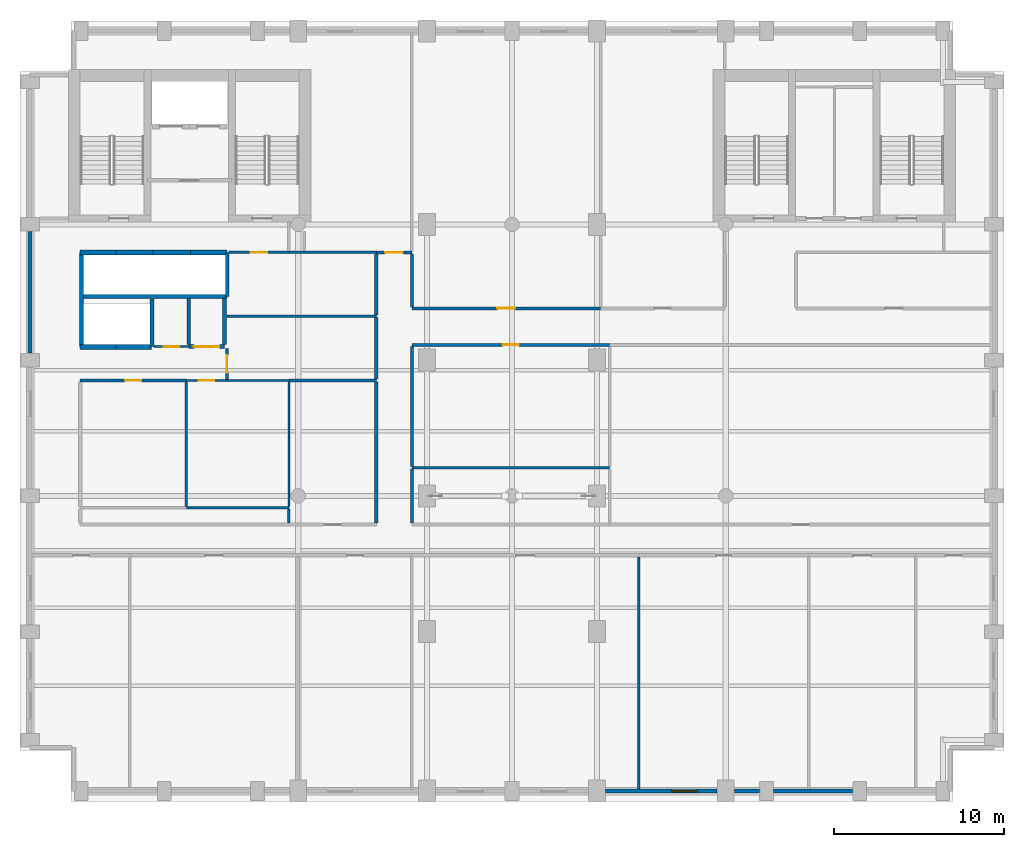
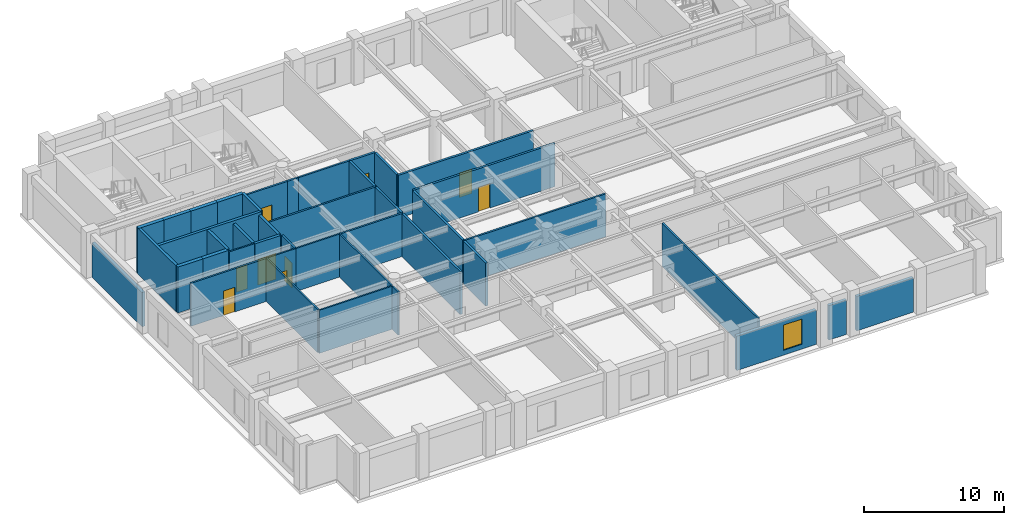
# One storey, part 5 of 10: 42 walls, 9 doors, 1 window, 10 openings.
"""IFC4 building model written with IfcOpenShell, lengths in metres."""

from ifc_helpers import new_model, si_unit, direction, frame, frame_2d, origin, place, context, subcontext, project, spatial, rectangle, extrude, material, layer, layer_set, type_object, element, fill, save


model = new_model("IFC4")

# Units and contexts
model_context = context("Model", 3, precision=1e-05, world=origin(), true_north=direction((0.0, 1.0)))
body_context = subcontext(model_context, "Body", "Model", "MODEL_VIEW")
ifc_project = project(units=[si_unit("LENGTHUNIT", "METRE"), si_unit("AREAUNIT", "SQUARE_METRE"), si_unit("VOLUMEUNIT", "CUBIC_METRE"), si_unit("PLANEANGLEUNIT", "RADIAN"), si_unit("MASSUNIT", "GRAM", prefix="KILO")], contexts=[model_context])

# Site, building, storey
site_placement = place(None, origin())
site = spatial("IfcSite", under=ifc_project, at=site_placement, CompositionType="ELEMENT")
building_placement = place(site_placement, origin())
building = spatial("IfcBuilding", under=site, at=building_placement, Name="Sulina Concourse Tower", CompositionType="ELEMENT")
storey_placement = place(building_placement, frame((0.0, 0.0, 210.60009765625)))
storey = spatial("IfcBuildingStorey", under=building, at=storey_placement, Name="L51", CompositionType="ELEMENT", Elevation=210.60009765625)

# Walls
ifc_material_1 = material(Name="Concrete C50/60", Category="concrete")
ifc_layer_1 = layer(ifc_material_1, 0.219970703125)
ifc_layer_set_1 = layer_set([ifc_layer_1], Name="Concrete C50/60")
wall_type_1 = type_object("IfcWallType", Name="Core Lift Hoistway Divider Wall 220mm", PredefinedType="SOLIDWALL", material=ifc_layer_set_1)
wall_1_placement = place(storey_placement, frame((3.550048828125, 29.75, 0.0), z_axis=(0.0, 0.0, 1.0), x_axis=(1.0, 0.0, 0.0)))
element("IfcWall", 1, at=wall_1_placement, inside=storey, type_object=wall_type_1, Name="L51 shaft divider wall HW-LP3-S", PredefinedType="SOLIDWALL", context=body_context, shape_type="SweptSolid", body=[
    extrude(rectangle(XDim=8.64990234375, YDim=0.219970703125, at=frame_2d((4.324951171875, 0.0))), origin(), (0.0, 0.0, 1.0), 4.0),
])
wall_2_placement = place(storey_placement, frame((3.6298828125, 26.800048828125, 0.0), z_axis=(0.0, 0.0, 1.0), x_axis=(0.0, 1.0, 0.0)))
element("IfcWall", 2, at=wall_2_placement, inside=storey, type_object=wall_type_1, Name="L51 shaft divider wall HW-LP3-W", PredefinedType="SOLIDWALL", context=body_context, shape_type="SweptSolid", body=[
    extrude(rectangle(XDim=5.550048828125, YDim=0.219970703125, at=frame_2d((2.77490234375, 0.0))), origin(), (0.0, 0.0, 1.0), 4.0),
])
wall_3_placement = place(storey_placement, frame((7.780029296875, 26.800048828125, 0.0), z_axis=(0.0, 0.0, 1.0), x_axis=(0.0, 1.0, 0.0)))
element("IfcWall", 3, at=wall_3_placement, inside=storey, type_object=wall_type_1, Name="L51 shaft divider wall HW-EXP-E", PredefinedType="SOLIDWALL", context=body_context, shape_type="SweptSolid", body=[
    extrude(rectangle(XDim=2.800048828125, YDim=0.219970703125, at=frame_2d((1.39990234375, 0.0))), origin(), (0.0, 0.0, 1.0), 4.0),
])
wall_4_placement = place(storey_placement, frame((12.219970703125, 29.75, 0.0), z_axis=(0.0, 0.0, 1.0), x_axis=(0.0, 1.0, 0.0)))
element("IfcWall", 4, at=wall_4_placement, inside=storey, type_object=wall_type_1, Name="L51 shaft divider wall HW-LP3-E", PredefinedType="SOLIDWALL", context=body_context, shape_type="SweptSolid", body=[
    extrude(rectangle(XDim=2.60009765625, YDim=0.219970703125, at=frame_2d((1.300048828125, 0.0))), origin(), (0.0, 0.0, 1.0), 4.0),
])
ifc_material_2 = material(Name="Concrete C50/60", Category="concrete")
ifc_layer_2 = layer(ifc_material_2, 0.300048828125)
ifc_layer_set_2 = layer_set([ifc_layer_2], Name="Concrete C50/60")
wall_type_2 = type_object("IfcWallType", Name="Core Lift Hoistway Wall 300mm", PredefinedType="SOLIDWALL", material=ifc_layer_set_2)
wall_5_placement = place(storey_placement, frame((3.550048828125, 32.35009765625, 0.0), z_axis=(0.0, 0.0, 1.0), x_axis=(1.0, 0.0, 0.0)))
element("IfcWall", 5, at=wall_5_placement, inside=storey, type_object=wall_type_2, Name="L51 hoistway enclosure wall LP-09", PredefinedType="SOLIDWALL", context=body_context, shape_type="SweptSolid", body=[
    extrude(rectangle(XDim=2.099853515625, YDim=0.300048828125, at=frame_2d((1.0498046875, 0.0))), origin(), (0.0, 0.0, 1.0), 4.0),
])
wall_6_placement = place(storey_placement, frame((5.64990234375, 32.35009765625, 0.0), z_axis=(0.0, 0.0, 1.0), x_axis=(1.0, 0.0, 0.0)))
element("IfcWall", 6, at=wall_6_placement, inside=storey, type_object=wall_type_2, Name="L51 hoistway enclosure wall LP-10", PredefinedType="SOLIDWALL", context=body_context, shape_type="SweptSolid", body=[
    extrude(rectangle(XDim=2.2001953125, YDim=0.300048828125, at=frame_2d((1.10009765625, 0.0))), origin(), (0.0, 0.0, 1.0), 4.0),
])
wall_7_placement = place(storey_placement, frame((7.85009765625, 32.35009765625, 0.0), z_axis=(0.0, 0.0, 1.0), x_axis=(1.0, 0.0, 0.0)))
element("IfcWall", 7, at=wall_7_placement, inside=storey, type_object=wall_type_2, Name="L51 hoistway enclosure wall LP-11", PredefinedType="SOLIDWALL", context=body_context, shape_type="SweptSolid", body=[
    extrude(rectangle(XDim=2.199951171875, YDim=0.300048828125, at=frame_2d((1.10009765625, 0.0))), origin(), (0.0, 0.0, 1.0), 4.0),
])
wall_8_placement = place(storey_placement, frame((10.050048828125, 32.35009765625, 0.0), z_axis=(0.0, 0.0, 1.0), x_axis=(1.0, 0.0, 0.0)))
element("IfcWall", 8, at=wall_8_placement, inside=storey, type_object=wall_type_2, Name="L51 hoistway enclosure wall LP-12", PredefinedType="SOLIDWALL", context=body_context, shape_type="SweptSolid", body=[
    extrude(rectangle(XDim=2.14990234375, YDim=0.300048828125, at=frame_2d((1.074951171875, 0.0))), origin(), (0.0, 0.0, 1.0), 4.0),
])
wall_9_placement = place(storey_placement, frame((5.64990234375, 26.780029296875, 0.0), z_axis=(0.0, 0.0, 1.0), x_axis=(-1.0, 0.0, 0.0)))
element("IfcWall", 9, at=wall_9_placement, inside=storey, type_object=wall_type_2, Name="L51 hoistway enclosure wall EXP-1", PredefinedType="SOLIDWALL", context=body_context, shape_type="SweptSolid", body=[
    extrude(rectangle(XDim=2.099853515625, YDim=0.300048828125, at=frame_2d((1.0498046875, 0.0))), origin(), (0.0, 0.0, 1.0), 4.0),
])
wall_10_placement = place(storey_placement, frame((7.75, 26.780029296875, 0.0), z_axis=(0.0, 0.0, 1.0), x_axis=(-1.0, 0.0, 0.0)))
element("IfcWall", 10, at=wall_10_placement, inside=storey, type_object=wall_type_2, Name="L51 hoistway enclosure wall EXP-2", PredefinedType="SOLIDWALL", context=body_context, shape_type="SweptSolid", body=[
    extrude(rectangle(XDim=2.10009765625, YDim=0.300048828125, at=frame_2d((1.050048828125, 0.0))), origin(), (0.0, 0.0, 1.0), 4.0),
])

# Wall, opening, window
ifc_material_3 = material(Name="Precast concrete C50/60", Category="concrete")
ifc_layer_3 = layer(ifc_material_3, 0.239990234375)
ifc_layer_set_3 = layer_set([ifc_layer_3], Name="Precast concrete C50/60")
wall_type_3 = type_object("IfcWallType", Name="Crown Precast Masonry-Frame Facade Wall 240mm", PredefinedType="SOLIDWALL", material=ifc_layer_set_3)
wall_11_placement = place(storey_placement, frame((41.080078125, 0.60009765625, 0.0), z_axis=(0.0, 0.0, 1.0), x_axis=(-1.0, 0.0, 0.0)))
wall_11 = element("IfcWall", 11, at=wall_11_placement, inside=storey, type_object=wall_type_3, Name="L51 exterior precast wall S7", PredefinedType="SOLIDWALL", context=body_context, shape_type="SweptSolid", body=[
    extrude(rectangle(XDim=6.56005859375, YDim=0.239990234375, at=frame_2d((3.280029296875, 0.0))), origin(), (0.0, 0.0, 1.0), 3.0),
])
opening_1_placement = place(wall_11_placement, frame((1.186767578125, 0.0, 0.419921875)))
opening_1 = element("IfcOpeningElement", 12, at=opening_1_placement, cuts=wall_11, Name="Opening WN-71", PredefinedType="OPENING", context=body_context, shape_type="SweptSolid", body=[
    extrude(rectangle(XDim=1.5, YDim=2.199951171875, at=frame_2d((0.75, 1.10009765625))), frame((0.0, 0.1298828125, 0.0), z_axis=(0.0, -1.0, 0.0), x_axis=(1.0, 0.0, 0.0)), (0.0, 0.0, 1.0), 0.260009765625),
])
ifc_material_4 = material(Name="Low-E solar double glazing in bronze aluminium", Category="aluminium")
window_type = type_object("IfcWindowType", Name="Punched Masonry-Frame Window 1500x2200", PartitioningType="SINGLE_PANEL", PredefinedType="WINDOW", material=ifc_material_4)
window_placement = place(opening_1_placement, origin())
window = element("IfcWindow", 13, at=window_placement, inside=storey, type_object=window_type, Name="L51 punched window S7-1", OverallHeight=2.199951171875, OverallWidth=1.5, PartitioningType="SINGLE_PANEL", PredefinedType="WINDOW", context=body_context, shape_type="SweptSolid", body=[
    extrude(rectangle(XDim=1.5, YDim=2.199951171875, at=frame_2d((0.75, 1.10009765625))), frame((0.0, 0.030029296875, 0.0), z_axis=(0.0, -1.0, 0.0), x_axis=(1.0, 0.0, 0.0)), (0.0, 0.0, 1.0), 0.06005859375),
])
fill(opening_1, window)

# Walls
wall_12_placement = place(storey_placement, frame((43.580078125, 0.60009765625, 0.0), z_axis=(0.0, 0.0, 1.0), x_axis=(-1.0, 0.0, 0.0)))
element("IfcWall", 14, at=wall_12_placement, inside=storey, type_object=wall_type_3, Name="L51 exterior precast wall S8", PredefinedType="SOLIDWALL", context=body_context, shape_type="SweptSolid", body=[
    extrude(rectangle(XDim=1.4599609375, YDim=0.239990234375, at=frame_2d((0.72998046875, 0.0))), origin(), (0.0, 0.0, 1.0), 3.0),
])
wall_13_placement = place(storey_placement, frame((49.080078125, 0.60009765625, 0.0), z_axis=(0.0, 0.0, 1.0), x_axis=(-1.0, 0.0, 0.0)))
element("IfcWall", 15, at=wall_13_placement, inside=storey, type_object=wall_type_3, Name="L51 exterior precast wall S9", PredefinedType="SOLIDWALL", context=body_context, shape_type="SweptSolid", body=[
    extrude(rectangle(XDim=4.66015625, YDim=0.239990234375, at=frame_2d((2.330078125, 0.0))), origin(), (0.0, 0.0, 1.0), 3.0),
])
wall_14_placement = place(storey_placement, frame((0.60009765625, 26.419921875, 0.0), z_axis=(0.0, 0.0, 1.0), x_axis=(0.0, 1.0, 0.0)))
element("IfcWall", 16, at=wall_14_placement, inside=storey, type_object=wall_type_3, Name="L51 exterior precast wall W4", PredefinedType="SOLIDWALL", context=body_context, shape_type="SweptSolid", body=[
    extrude(rectangle(XDim=7.16015625, YDim=0.239990234375, at=frame_2d((3.580078125, 0.0))), origin(), (0.0, 0.0, 1.0), 3.0),
])

# Wall, opening, door
ifc_material_5 = material(Name="Gypsum board on steel stud", Category="steel")
ifc_layer_4 = layer(ifc_material_5, 0.219970703125)
ifc_layer_set_4 = layer_set([ifc_layer_4], Name="Gypsum board on steel stud")
wall_type_4 = type_object("IfcWallType", Name="Fire-Rated Lobby & Compartment Wall 220mm", PredefinedType="PARTITIONING", material=ifc_layer_set_4)
wall_15_placement = place(storey_placement, frame((9.949951171875, 26.800048828125, 0.0), z_axis=(0.0, 0.0, 1.0), x_axis=(1.0, 0.0, 0.0)))
wall_15 = element("IfcWall", 17, at=wall_15_placement, inside=storey, type_object=wall_type_4, Name="L51 interior partition 020", PredefinedType="PARTITIONING", context=body_context, shape_type="SweptSolid", body=[
    extrude(rectangle(XDim=2.10009765625, YDim=0.219970703125, at=frame_2d((1.050048828125, 0.0))), origin(), (0.0, 0.0, 1.0), 3.75),
])
opening_2_placement = place(wall_15_placement, frame((0.300048828125, 0.0, 0.0)))
opening_2 = element("IfcOpeningElement", 18, at=opening_2_placement, cuts=wall_15, Name="Opening DR-80", PredefinedType="OPENING", context=body_context, shape_type="SweptSolid", body=[
    extrude(rectangle(XDim=1.5, YDim=2.25, at=frame_2d((0.75, 1.125))), frame((0.0, 0.119873046875, 0.0), z_axis=(0.0, -1.0, 0.0), x_axis=(1.0, 0.0, 0.0)), (0.0, 0.0, 1.0), 0.239990234375),
])
ifc_material_6 = material(Name="Galvanised steel acoustic fire leaf", Category="steel")
ifc_layer_5 = layer(ifc_material_6, 0.054931640625)
ifc_layer_set_5 = layer_set([ifc_layer_5], Name="Galvanised steel acoustic fire leaf")
door_type_1 = type_object("IfcDoorType", Name="Mechanical Plant Double Fire Door 1500x2250", OperationType="DOUBLE_DOOR_SINGLE_SWING", PredefinedType="DOOR", material=ifc_layer_set_5)
door_1_placement = place(opening_2_placement, origin())
door_1 = element("IfcDoor", 19, at=door_1_placement, inside=storey, type_object=door_type_1, Name="L51 interior door L51-IT-IDF", OperationType="DOUBLE_DOOR_SINGLE_SWING", OverallHeight=2.25, OverallWidth=1.5, PredefinedType="DOOR", context=body_context, shape_type="SweptSolid", body=[
    extrude(rectangle(XDim=1.5, YDim=2.25, at=frame_2d((0.75, 1.125))), frame((0.0, 0.02490234375, 0.0), z_axis=(0.0, -1.0, 0.0), x_axis=(1.0, 0.0, 0.0)), (0.0, 0.0, 1.0), 0.050048828125),
])
fill(opening_2, door_1)

# Walls
for number, where, z_axis, x_axis, name in (
    (20, (9.949951171875, 26.909912109375, 0.0), (0.0, 0.0, 1.0), (0.0, 1.0, 0.0), "L51 interior partition 040"),
    (21, (12.050048828125, 26.909912109375, 0.0), (0.0, 0.0, 1.0), (0.0, 1.0, 0.0), "L51 interior partition 041"),
):
    element("IfcWall", number, at=place(storey_placement, frame(where, z_axis=z_axis, x_axis=x_axis)), inside=storey, type_object=wall_type_4, Name=name, PredefinedType="PARTITIONING", context=body_context, shape_type="SweptSolid", body=[
        extrude(rectangle(XDim=2.72998046875, YDim=0.219970703125, at=frame_2d((1.364990234375, 0.0))), origin(), (0.0, 0.0, 1.0), 3.75),
    ])
ifc_material_7 = material(Name="Gypsum board on steel stud", Category="steel")
ifc_layer_6 = layer(ifc_material_7, 0.14990234375)
ifc_layer_set_6 = layer_set([ifc_layer_6], Name="Gypsum board on steel stud")
wall_type_5 = type_object("IfcWallType", Name="Inter-Tenancy Acoustic Partition 150mm", PredefinedType="PARTITIONING", material=ifc_layer_set_6)
wall_16_placement = place(storey_placement, frame((23.10009765625, 19.64990234375, 0.0), z_axis=(0.0, 0.0, 1.0), x_axis=(1.0, 0.0, 0.0)))
element("IfcWall", 22, at=wall_16_placement, inside=storey, type_object=wall_type_5, Name="L51 interior partition 014", PredefinedType="PARTITIONING", context=body_context, shape_type="SweptSolid", body=[
    extrude(rectangle(XDim=11.64990234375, YDim=0.14990234375, at=frame_2d((5.824951171875, 0.0))), origin(), (0.0, 0.0, 1.0), 3.75),
])

# Wall, opening, door
wall_17_placement = place(storey_placement, frame((3.550048828125, 24.800048828125, 0.0), z_axis=(0.0, 0.0, 1.0), x_axis=(1.0, 0.0, 0.0)))
wall_17 = element("IfcWall", 23, at=wall_17_placement, inside=storey, type_object=wall_type_5, Name="L51 interior partition 015", PredefinedType="PARTITIONING", context=body_context, shape_type="SweptSolid", body=[
    extrude(rectangle(XDim=6.25, YDim=0.14990234375, at=frame_2d((3.125, 0.0))), origin(), (0.0, 0.0, 1.0), 3.75),
])
opening_3_placement = place(wall_17_placement, frame((2.64990234375, 0.0, 0.0)))
opening_3 = element("IfcOpeningElement", 24, at=opening_3_placement, cuts=wall_17, Name="Opening DR-19", PredefinedType="OPENING", context=body_context, shape_type="SweptSolid", body=[
    extrude(rectangle(XDim=0.949951171875, YDim=2.14990234375, at=frame_2d((0.47509765625, 1.074951171875))), frame((0.0, 0.0849609375, 0.0), z_axis=(0.0, -1.0, 0.0), x_axis=(1.0, 0.0, 0.0)), (0.0, 0.0, 1.0), 0.169921875),
])
ifc_material_8 = material(Name="Oak-veneered acoustic timber leaf", Category="wood")
ifc_layer_7 = layer(ifc_material_8, 0.050048828125)
ifc_layer_set_7 = layer_set([ifc_layer_7], Name="Oak-veneered acoustic timber leaf")
door_type_2 = type_object("IfcDoorType", Name="Cellular Office & Meeting Door 950x2150", OperationType="NOTDEFINED", PredefinedType="DOOR", material=ifc_layer_set_7)
door_2_placement = place(opening_3_placement, origin())
door_2 = element("IfcDoor", 25, at=door_2_placement, inside=storey, type_object=door_type_2, Name="L51 interior door L51-LR-MRG1", OperationType="SINGLE_SWING_LEFT", OverallHeight=2.14990234375, OverallWidth=0.949951171875, PredefinedType="DOOR", context=body_context, shape_type="SweptSolid", body=[
    extrude(rectangle(XDim=0.949951171875, YDim=2.14990234375, at=frame_2d((0.47509765625, 1.074951171875))), frame((0.0, 0.02490234375, 0.0), z_axis=(0.0, -1.0, 0.0), x_axis=(1.0, 0.0, 0.0)), (0.0, 0.0, 1.0), 0.050048828125),
])
fill(opening_3, door_2)

# Walls
wall_18_placement = place(storey_placement, frame((15.85009765625, 24.800048828125, 0.0), z_axis=(0.0, 0.0, 1.0), x_axis=(1.0, 0.0, 0.0)))
element("IfcWall", 26, at=wall_18_placement, inside=storey, type_object=wall_type_5, Name="L51 interior partition 018", PredefinedType="PARTITIONING", context=body_context, shape_type="SweptSolid", body=[
    extrude(rectangle(XDim=5.14990234375, YDim=0.14990234375, at=frame_2d((2.574951171875, 0.0))), origin(), (0.0, 0.0, 1.0), 3.75),
])
wall_19_placement = place(storey_placement, frame((12.199951171875, 28.60009765625, 0.0), z_axis=(0.0, 0.0, 1.0), x_axis=(1.0, 0.0, 0.0)))
element("IfcWall", 27, at=wall_19_placement, inside=storey, type_object=wall_type_5, Name="L51 interior partition 023", PredefinedType="PARTITIONING", context=body_context, shape_type="SweptSolid", body=[
    extrude(rectangle(XDim=8.800048828125, YDim=0.14990234375, at=frame_2d((4.39990234375, 0.0))), origin(), (0.0, 0.0, 1.0), 3.75),
])

# Wall, opening, door
wall_20_placement = place(storey_placement, frame((12.330078125, 32.35009765625, 0.0), z_axis=(0.0, 0.0, 1.0), x_axis=(1.0, 0.0, 0.0)))
wall_20 = element("IfcWall", 28, at=wall_20_placement, inside=storey, type_object=wall_type_5, Name="L51 interior partition 027", PredefinedType="PARTITIONING", context=body_context, shape_type="SweptSolid", body=[
    extrude(rectangle(XDim=3.52001953125, YDim=0.14990234375, at=frame_2d((1.760009765625, 0.0))), origin(), (0.0, 0.0, 1.0), 3.75),
])
opening_4_placement = place(wall_20_placement, frame((1.284912109375, 0.0, 0.0)))
opening_4 = element("IfcOpeningElement", 29, at=opening_4_placement, cuts=wall_20, Name="Opening DR-19", PredefinedType="OPENING", context=body_context, shape_type="SweptSolid", body=[
    extrude(rectangle(XDim=0.949951171875, YDim=2.14990234375, at=frame_2d((0.47509765625, 1.074951171875))), frame((0.0, 0.0849609375, 0.0), z_axis=(0.0, -1.0, 0.0), x_axis=(1.0, 0.0, 0.0)), (0.0, 0.0, 1.0), 0.169921875),
])
door_3_placement = place(opening_4_placement, origin())
door_3 = element("IfcDoor", 30, at=door_3_placement, inside=storey, type_object=door_type_2, Name="L51 interior door L51-MR-MRG2", OperationType="SINGLE_SWING_RIGHT", OverallHeight=2.14990234375, OverallWidth=0.949951171875, PredefinedType="DOOR", context=body_context, shape_type="SweptSolid", body=[
    extrude(rectangle(XDim=0.949951171875, YDim=2.14990234375, at=frame_2d((0.47509765625, 1.074951171875))), frame((0.0, 0.02490234375, 0.0), z_axis=(0.0, -1.0, 0.0), x_axis=(1.0, 0.0, 0.0)), (0.0, 0.0, 1.0), 0.050048828125),
])
fill(opening_4, door_3)

# Walls
wall_21_placement = place(storey_placement, frame((15.85009765625, 32.35009765625, 0.0), z_axis=(0.0, 0.0, 1.0), x_axis=(1.0, 0.0, 0.0)))
element("IfcWall", 31, at=wall_21_placement, inside=storey, type_object=wall_type_5, Name="L51 interior partition 028", PredefinedType="PARTITIONING", context=body_context, shape_type="SweptSolid", body=[
    extrude(rectangle(XDim=0.89990234375, YDim=0.14990234375, at=frame_2d((0.449951171875, 0.0))), origin(), (0.0, 0.0, 1.0), 3.75),
])
wall_22_placement = place(storey_placement, frame((16.75, 32.35009765625, 0.0), z_axis=(0.0, 0.0, 1.0), x_axis=(1.0, 0.0, 0.0)))
element("IfcWall", 32, at=wall_22_placement, inside=storey, type_object=wall_type_5, Name="L51 interior partition 029", PredefinedType="PARTITIONING", context=body_context, shape_type="SweptSolid", body=[
    extrude(rectangle(XDim=4.25, YDim=0.14990234375, at=frame_2d((2.125, 0.0))), origin(), (0.0, 0.0, 1.0), 3.75),
])

# Wall, opening, door
wall_23_placement = place(storey_placement, frame((12.199951171875, 24.862548828125, 0.0), z_axis=(0.0, 0.0, 1.0), x_axis=(0.0, 1.0, 0.0)))
wall_23 = element("IfcWall", 33, at=wall_23_placement, inside=storey, type_object=wall_type_5, Name="L51 interior partition 042", PredefinedType="PARTITIONING", context=body_context, shape_type="SweptSolid", body=[
    extrude(rectangle(XDim=1.827392578125, YDim=0.14990234375, at=frame_2d((0.91357421875, 0.0))), origin(), (0.0, 0.0, 1.0), 3.75),
])
opening_5_placement = place(wall_23_placement, frame((0.388916015625, 0.0, 0.0)))
opening_5 = element("IfcOpeningElement", 34, at=opening_5_placement, cuts=wall_23, Name="Opening DR-37", PredefinedType="OPENING", context=body_context, shape_type="SweptSolid", body=[
    extrude(rectangle(XDim=1.050048828125, YDim=2.14990234375, at=frame_2d((0.52490234375, 1.074951171875))), frame((0.0, 0.0849609375, 0.0), z_axis=(0.0, -1.0, 0.0), x_axis=(1.0, 0.0, 0.0)), (0.0, 0.0, 1.0), 0.169921875),
])
ifc_material_9 = material(Name="Oak-veneered fire door leaf")
ifc_layer_8 = layer(ifc_material_9, 0.050048828125)
ifc_layer_set_8 = layer_set([ifc_layer_8], Name="Oak-veneered fire door leaf")
door_type_3 = type_object("IfcDoorType", Name="Tenant Suite Entrance Fire Door 1050x2150", OperationType="NOTDEFINED", PredefinedType="DOOR", material=ifc_layer_set_8)
door_4_placement = place(opening_5_placement, origin())
door_4 = element("IfcDoor", 35, at=door_4_placement, inside=storey, type_object=door_type_3, Name="L51 interior door L51-MR-MRG1", OperationType="SINGLE_SWING_RIGHT", OverallHeight=2.14990234375, OverallWidth=1.050048828125, PredefinedType="DOOR", context=body_context, shape_type="SweptSolid", body=[
    extrude(rectangle(XDim=1.050048828125, YDim=2.14990234375, at=frame_2d((0.52490234375, 1.074951171875))), frame((0.0, 0.02490234375, 0.0), z_axis=(0.0, -1.0, 0.0), x_axis=(1.0, 0.0, 0.0)), (0.0, 0.0, 1.0), 0.050048828125),
])
fill(opening_5, door_4)

# Walls
wall_24_placement = place(storey_placement, frame((15.85009765625, 16.389892578125, 0.0), z_axis=(0.0, 0.0, 1.0), x_axis=(0.0, 1.0, 0.0)))
element("IfcWall", 36, at=wall_24_placement, inside=storey, type_object=wall_type_5, Name="L51 interior partition 043", PredefinedType="PARTITIONING", context=body_context, shape_type="SweptSolid", body=[
    extrude(rectangle(XDim=0.84765625, YDim=0.14990234375, at=frame_2d((0.423828125, 0.0))), origin(), (0.0, 0.0, 1.0), 3.75),
])
wall_25_placement = place(storey_placement, frame((36.47998046875, 0.719970703125, 0.0), z_axis=(0.0, 0.0, 1.0), x_axis=(0.0, 1.0, 0.0)))
element("IfcWall", 37, at=wall_25_placement, inside=storey, type_object=wall_type_5, Name="L51 interior partition 060", PredefinedType="PARTITIONING", context=body_context, shape_type="SweptSolid", body=[
    extrude(rectangle(XDim=13.68994140625, YDim=0.14990234375, at=frame_2d((6.844970703125, 0.0))), origin(), (0.0, 0.0, 1.0), 3.75),
])

# Wall, opening, door
ifc_material_10 = material(Name="Gypsum board on steel stud", Category="steel")
ifc_layer_9 = layer(ifc_material_10, 0.179931640625)
ifc_layer_set_9 = layer_set([ifc_layer_9], Name="Gypsum board on steel stud")
wall_type_6 = type_object("IfcWallType", Name="Protected Corridor & Riser Partition 180mm", PredefinedType="PARTITIONING", material=ifc_layer_set_9)
wall_26_placement = place(storey_placement, frame((23.10009765625, 26.89990234375, 0.0), z_axis=(0.0, 0.0, 1.0), x_axis=(1.0, 0.0, 0.0)))
wall_26 = element("IfcWall", 38, at=wall_26_placement, inside=storey, type_object=wall_type_6, Name="L51 interior partition 021", PredefinedType="PARTITIONING", context=body_context, shape_type="SweptSolid", body=[
    extrude(rectangle(XDim=11.64990234375, YDim=0.179931640625, at=frame_2d((5.824951171875, 0.0))), origin(), (0.0, 0.0, 1.0), 3.75),
])
opening_6_placement = place(wall_26_placement, frame((5.35009765625, 0.0, 0.0)))
opening_6 = element("IfcOpeningElement", 39, at=opening_6_placement, cuts=wall_26, Name="Opening DR-19", PredefinedType="OPENING", context=body_context, shape_type="SweptSolid", body=[
    extrude(rectangle(XDim=0.949951171875, YDim=2.14990234375, at=frame_2d((0.47509765625, 1.074951171875))), frame((0.0, 0.099853515625, 0.0), z_axis=(0.0, -1.0, 0.0), x_axis=(1.0, 0.0, 0.0)), (0.0, 0.0, 1.0), 0.199951171875),
])
door_5_placement = place(opening_6_placement, origin())
door_5 = element("IfcDoor", 40, at=door_5_placement, inside=storey, type_object=door_type_2, Name="L51 interior door L51-UBT-NRM", OperationType="SINGLE_SWING_RIGHT", OverallHeight=2.14990234375, OverallWidth=0.949951171875, PredefinedType="DOOR", context=body_context, shape_type="SweptSolid", body=[
    extrude(rectangle(XDim=0.949951171875, YDim=2.14990234375, at=frame_2d((0.47509765625, 1.074951171875))), frame((0.0, 0.02490234375, 0.0), z_axis=(0.0, -1.0, 0.0), x_axis=(1.0, 0.0, 0.0)), (0.0, 0.0, 1.0), 0.050048828125),
])
fill(opening_6, door_5)

wall_27_placement = place(storey_placement, frame((23.10009765625, 29.050048828125, 0.0), z_axis=(0.0, 0.0, 1.0), x_axis=(1.0, 0.0, 0.0)))
wall_27 = element("IfcWall", 41, at=wall_27_placement, inside=storey, type_object=wall_type_6, Name="L51 interior partition 024", PredefinedType="PARTITIONING", context=body_context, shape_type="SweptSolid", body=[
    extrude(rectangle(XDim=11.119873046875, YDim=0.179931640625, at=frame_2d((5.56005859375, 0.0))), origin(), (0.0, 0.0, 1.0), 3.75),
])
opening_7_placement = place(wall_27_placement, frame((5.034912109375, 0.0, 0.0)))
opening_7 = element("IfcOpeningElement", 42, at=opening_7_placement, cuts=wall_27, Name="Opening DR-37", PredefinedType="OPENING", context=body_context, shape_type="SweptSolid", body=[
    extrude(rectangle(XDim=1.050048828125, YDim=2.14990234375, at=frame_2d((0.52490234375, 1.074951171875))), frame((0.0, 0.099853515625, 0.0), z_axis=(0.0, -1.0, 0.0), x_axis=(1.0, 0.0, 0.0)), (0.0, 0.0, 1.0), 0.199951171875),
])
door_6_placement = place(opening_7_placement, origin())
door_6 = element("IfcDoor", 43, at=door_6_placement, inside=storey, type_object=door_type_3, Name="L51 interior door L51-NC1", OperationType="SINGLE_SWING_LEFT", OverallHeight=2.14990234375, OverallWidth=1.050048828125, PredefinedType="DOOR", context=body_context, shape_type="SweptSolid", body=[
    extrude(rectangle(XDim=1.050048828125, YDim=2.14990234375, at=frame_2d((0.52490234375, 1.074951171875))), frame((0.0, 0.02490234375, 0.0), z_axis=(0.0, -1.0, 0.0), x_axis=(1.0, 0.0, 0.0)), (0.0, 0.0, 1.0), 0.050048828125),
])
fill(opening_7, door_6)

wall_28_placement = place(storey_placement, frame((21.0, 32.35009765625, 0.0), z_axis=(0.0, 0.0, 1.0), x_axis=(1.0, 0.0, 0.0)))
wall_28 = element("IfcWall", 44, at=wall_28_placement, inside=storey, type_object=wall_type_6, Name="L51 interior partition 030", PredefinedType="PARTITIONING", context=body_context, shape_type="SweptSolid", body=[
    extrude(rectangle(XDim=2.10009765625, YDim=0.179931640625, at=frame_2d((1.050048828125, 0.0))), origin(), (0.0, 0.0, 1.0), 3.75),
])
opening_8_placement = place(wall_28_placement, frame((0.52490234375, 0.0, 0.0)))
opening_8 = element("IfcOpeningElement", 45, at=opening_8_placement, cuts=wall_28, Name="Opening DR-37", PredefinedType="OPENING", context=body_context, shape_type="SweptSolid", body=[
    extrude(rectangle(XDim=1.050048828125, YDim=2.14990234375, at=frame_2d((0.52490234375, 1.074951171875))), frame((0.0, 0.099853515625, 0.0), z_axis=(0.0, -1.0, 0.0), x_axis=(1.0, 0.0, 0.0)), (0.0, 0.0, 1.0), 0.199951171875),
])
door_7_placement = place(opening_8_placement, origin())
door_7 = element("IfcDoor", 46, at=door_7_placement, inside=storey, type_object=door_type_3, Name="L51 interior door L51-NC-NW", OperationType="SINGLE_SWING_LEFT", OverallHeight=2.14990234375, OverallWidth=1.050048828125, PredefinedType="DOOR", context=body_context, shape_type="SweptSolid", body=[
    extrude(rectangle(XDim=1.050048828125, YDim=2.14990234375, at=frame_2d((0.52490234375, 1.074951171875))), frame((0.0, 0.02490234375, 0.0), z_axis=(0.0, -1.0, 0.0), x_axis=(1.0, 0.0, 0.0)), (0.0, 0.0, 1.0), 0.050048828125),
])
fill(opening_8, door_7)

# Walls
wall_29_placement = place(storey_placement, frame((21.0, 16.389892578125, 0.0), z_axis=(0.0, 0.0, 1.0), x_axis=(0.0, 1.0, 0.0)))
element("IfcWall", 47, at=wall_29_placement, inside=storey, type_object=wall_type_6, Name="L51 interior partition 048", PredefinedType="PARTITIONING", context=body_context, shape_type="SweptSolid", body=[
    extrude(rectangle(XDim=8.335205078125, YDim=0.179931640625, at=frame_2d((4.16748046875, 0.0))), origin(), (0.0, 0.0, 1.0), 3.75),
])
wall_30_placement = place(storey_placement, frame((21.0, 24.875, 0.0), z_axis=(0.0, 0.0, 1.0), x_axis=(0.0, 1.0, 0.0)))
element("IfcWall", 48, at=wall_30_placement, inside=storey, type_object=wall_type_6, Name="L51 interior partition 049", PredefinedType="PARTITIONING", context=body_context, shape_type="SweptSolid", body=[
    extrude(rectangle(XDim=3.64990234375, YDim=0.179931640625, at=frame_2d((1.824951171875, 0.0))), origin(), (0.0, 0.0, 1.0), 3.75),
])
wall_31_placement = place(storey_placement, frame((21.0, 28.675048828125, 0.0), z_axis=(0.0, 0.0, 1.0), x_axis=(0.0, 1.0, 0.0)))
element("IfcWall", 49, at=wall_31_placement, inside=storey, type_object=wall_type_6, Name="L51 interior partition 050", PredefinedType="PARTITIONING", context=body_context, shape_type="SweptSolid", body=[
    extrude(rectangle(XDim=3.5849609375, YDim=0.179931640625, at=frame_2d((1.79248046875, 0.0))), origin(), (0.0, 0.0, 1.0), 3.75),
])
wall_32_placement = place(storey_placement, frame((23.10009765625, 16.389892578125, 0.0), z_axis=(0.0, 0.0, 1.0), x_axis=(0.0, 1.0, 0.0)))
element("IfcWall", 50, at=wall_32_placement, inside=storey, type_object=wall_type_6, Name="L51 interior partition 052", PredefinedType="PARTITIONING", context=body_context, shape_type="SweptSolid", body=[
    extrude(rectangle(XDim=3.18505859375, YDim=0.179931640625, at=frame_2d((1.592529296875, 0.0))), origin(), (0.0, 0.0, 1.0), 3.75),
])
wall_33_placement = place(storey_placement, frame((23.10009765625, 19.72509765625, 0.0), z_axis=(0.0, 0.0, 1.0), x_axis=(0.0, 1.0, 0.0)))
element("IfcWall", 51, at=wall_33_placement, inside=storey, type_object=wall_type_6, Name="L51 interior partition 053", PredefinedType="PARTITIONING", context=body_context, shape_type="SweptSolid", body=[
    extrude(rectangle(XDim=7.0849609375, YDim=0.179931640625, at=frame_2d((3.54248046875, 0.0))), origin(), (0.0, 0.0, 1.0), 3.75),
])
wall_34_placement = place(storey_placement, frame((23.10009765625, 29.139892578125, 0.0), z_axis=(0.0, 0.0, 1.0), x_axis=(0.0, 1.0, 0.0)))
element("IfcWall", 52, at=wall_34_placement, inside=storey, type_object=wall_type_6, Name="L51 interior partition 054", PredefinedType="PARTITIONING", context=body_context, shape_type="SweptSolid", body=[
    extrude(rectangle(XDim=3.1201171875, YDim=0.179931640625, at=frame_2d((1.56005859375, 0.0))), origin(), (0.0, 0.0, 1.0), 3.75),
])
ifc_material_11 = material(Name="Gypsum board on steel stud", Category="steel")
ifc_layer_10 = layer(ifc_material_11, 0.125)
ifc_layer_set_10 = layer_set([ifc_layer_10], Name="Gypsum board on steel stud")
wall_type_7 = type_object("IfcWallType", Name="Wet-Area Moisture-Resistant Partition 125mm", PredefinedType="PARTITIONING", material=ifc_layer_set_10)
wall_35_placement = place(storey_placement, frame((9.800048828125, 17.300048828125, 0.0), z_axis=(0.0, 0.0, 1.0), x_axis=(1.0, 0.0, 0.0)))
element("IfcWall", 53, at=wall_35_placement, inside=storey, type_object=wall_type_7, Name="L51 interior partition 013", PredefinedType="PARTITIONING", context=body_context, shape_type="SweptSolid", body=[
    extrude(rectangle(XDim=6.050048828125, YDim=0.125, at=frame_2d((3.02490234375, 0.0))), origin(), (0.0, 0.0, 1.0), 3.75),
])

# Wall, opening, door
wall_36_placement = place(storey_placement, frame((9.800048828125, 24.800048828125, 0.0), z_axis=(0.0, 0.0, 1.0), x_axis=(1.0, 0.0, 0.0)))
wall_36 = element("IfcWall", 54, at=wall_36_placement, inside=storey, type_object=wall_type_7, Name="L51 interior partition 016", PredefinedType="PARTITIONING", context=body_context, shape_type="SweptSolid", body=[
    extrude(rectangle(XDim=2.39990234375, YDim=0.125, at=frame_2d((1.199951171875, 0.0))), origin(), (0.0, 0.0, 1.0), 3.75),
])
opening_9_placement = place(wall_36_placement, frame((0.75, 0.0, 0.0)))
opening_9 = element("IfcOpeningElement", 55, at=opening_9_placement, cuts=wall_36, Name="Opening DR-21", PredefinedType="OPENING", context=body_context, shape_type="SweptSolid", body=[
    extrude(rectangle(XDim=0.89990234375, YDim=2.10009765625, at=frame_2d((0.449951171875, 1.050048828125))), frame((0.0, 0.072509765625, 0.0), z_axis=(0.0, -1.0, 0.0), x_axis=(1.0, 0.0, 0.0)), (0.0, 0.0, 1.0), 0.14501953125),
])
ifc_material_12 = material(Name="Oak-veneered fire door leaf")
ifc_layer_11 = layer(ifc_material_12, 0.050048828125)
ifc_layer_set_11 = layer_set([ifc_layer_11], Name="Oak-veneered fire door leaf")
door_type_4 = type_object("IfcDoorType", Name="Restroom & Service Door 900x2100", OperationType="NOTDEFINED", PredefinedType="DOOR", material=ifc_layer_set_11)
door_8_placement = place(opening_9_placement, origin())
door_8 = element("IfcDoor", 56, at=door_8_placement, inside=storey, type_object=door_type_4, Name="L51 interior door L51-LR-MRG2", OperationType="SINGLE_SWING_RIGHT", OverallHeight=2.10009765625, OverallWidth=0.89990234375, PredefinedType="DOOR", context=body_context, shape_type="SweptSolid", body=[
    extrude(rectangle(XDim=0.89990234375, YDim=2.10009765625, at=frame_2d((0.449951171875, 1.050048828125))), frame((0.0, 0.02490234375, 0.0), z_axis=(0.0, -1.0, 0.0), x_axis=(1.0, 0.0, 0.0)), (0.0, 0.0, 1.0), 0.050048828125),
])
fill(opening_9, door_8)

# Wall
wall_37_placement = place(storey_placement, frame((12.199951171875, 24.800048828125, 0.0), z_axis=(0.0, 0.0, 1.0), x_axis=(1.0, 0.0, 0.0)))
element("IfcWall", 57, at=wall_37_placement, inside=storey, type_object=wall_type_7, Name="L51 interior partition 017", PredefinedType="PARTITIONING", context=body_context, shape_type="SweptSolid", body=[
    extrude(rectangle(XDim=3.650146484375, YDim=0.125, at=frame_2d((1.8251953125, 0.0))), origin(), (0.0, 0.0, 1.0), 3.75),
])

# Wall, opening, door
wall_38_placement = place(storey_placement, frame((7.889892578125, 26.800048828125, 0.0), z_axis=(0.0, 0.0, 1.0), x_axis=(1.0, 0.0, 0.0)))
wall_38 = element("IfcWall", 58, at=wall_38_placement, inside=storey, type_object=wall_type_7, Name="L51 interior partition 019", PredefinedType="PARTITIONING", context=body_context, shape_type="SweptSolid", body=[
    extrude(rectangle(XDim=2.06005859375, YDim=0.125, at=frame_2d((1.030029296875, 0.0))), origin(), (0.0, 0.0, 1.0), 3.75),
])
opening_10_placement = place(wall_38_placement, frame((0.570068359375, 0.0, 0.0)))
opening_10 = element("IfcOpeningElement", 59, at=opening_10_placement, cuts=wall_38, Name="Opening DR-61", PredefinedType="OPENING", context=body_context, shape_type="SweptSolid", body=[
    extrude(rectangle(XDim=0.919921875, YDim=2.10009765625, at=frame_2d((0.4599609375, 1.050048828125))), frame((0.0, 0.072509765625, 0.0), z_axis=(0.0, -1.0, 0.0), x_axis=(1.0, 0.0, 0.0)), (0.0, 0.0, 1.0), 0.14501953125),
])
ifc_material_13 = material(Name="Oak-veneered fire door leaf")
ifc_layer_12 = layer(ifc_material_13, 0.050048828125)
ifc_layer_set_12 = layer_set([ifc_layer_12], Name="Oak-veneered fire door leaf")
door_type_5 = type_object("IfcDoorType", Name="Accessible WC Door 920x2100", OperationType="NOTDEFINED", PredefinedType="DOOR", material=ifc_layer_set_12)
door_9_placement = place(opening_10_placement, origin())
door_9 = element("IfcDoor", 60, at=door_9_placement, inside=storey, type_object=door_type_5, Name="L51 interior door L51-WC-ACC", OperationType="SINGLE_SWING_LEFT", OverallHeight=2.10009765625, OverallWidth=0.919921875, PredefinedType="DOOR", context=body_context, shape_type="SweptSolid", body=[
    extrude(rectangle(XDim=0.919921875, YDim=2.10009765625, at=frame_2d((0.4599609375, 1.050048828125))), frame((0.0, 0.02490234375, 0.0), z_axis=(0.0, -1.0, 0.0), x_axis=(1.0, 0.0, 0.0)), (0.0, 0.0, 1.0), 0.050048828125),
])
fill(opening_10, door_9)

# Walls
wall_39_placement = place(storey_placement, frame((9.800048828125, 17.375, 0.0), z_axis=(0.0, 0.0, 1.0), x_axis=(0.0, 1.0, 0.0)))
element("IfcWall", 61, at=wall_39_placement, inside=storey, type_object=wall_type_7, Name="L51 interior partition 039", PredefinedType="PARTITIONING", context=body_context, shape_type="SweptSolid", body=[
    extrude(rectangle(XDim=7.35009765625, YDim=0.125, at=frame_2d((3.675048828125, 0.0))), origin(), (0.0, 0.0, 1.0), 3.75),
])
wall_40_placement = place(storey_placement, frame((15.85009765625, 17.362548828125, 0.0), z_axis=(0.0, 0.0, 1.0), x_axis=(0.0, 1.0, 0.0)))
element("IfcWall", 62, at=wall_40_placement, inside=storey, type_object=wall_type_7, Name="L51 interior partition 044", PredefinedType="PARTITIONING", context=body_context, shape_type="SweptSolid", body=[
    extrude(rectangle(XDim=7.362548828125, YDim=0.125, at=frame_2d((3.68115234375, 0.0))), origin(), (0.0, 0.0, 1.0), 3.75),
])

save(model, "model.ifc")
